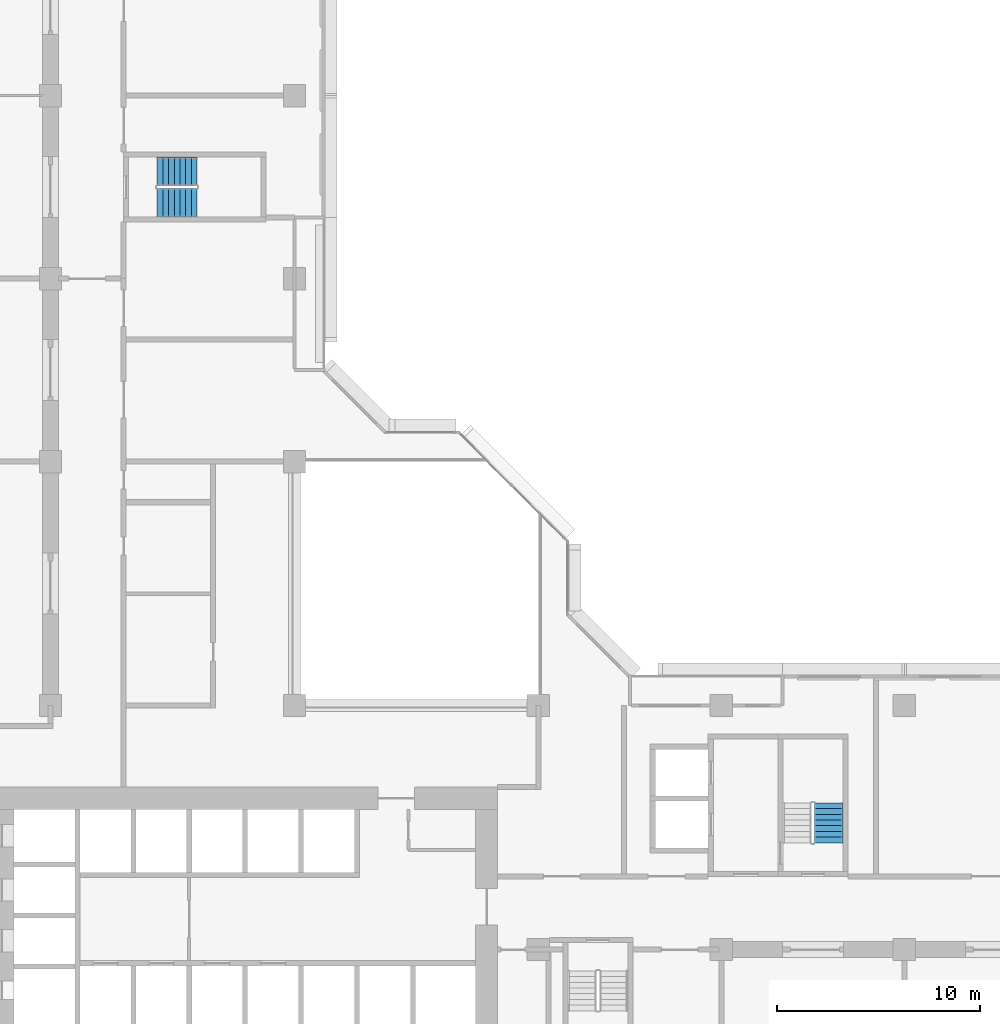
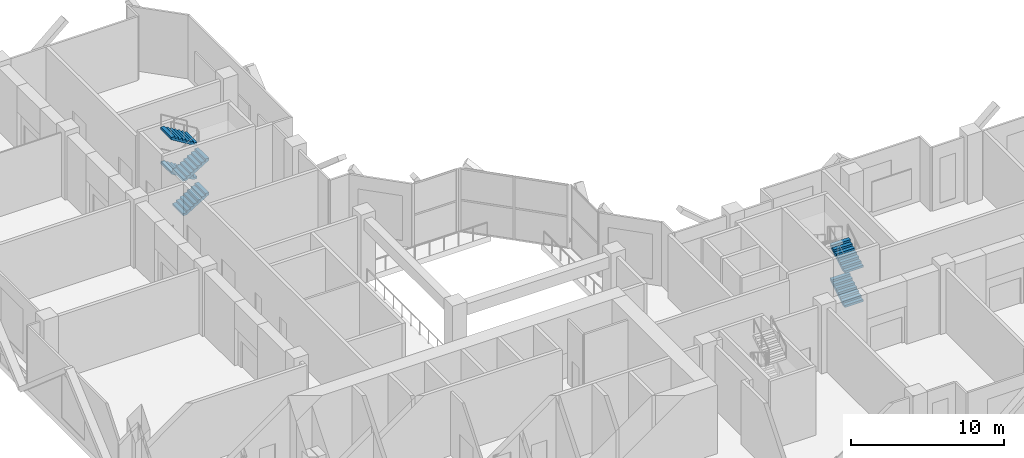
# One storey, part 11 of 14: 6 stair flights, 2 elements without a shape of their own.
"""IFC4 building model written with IfcOpenShell, lengths in metres."""

import ifcopenshell
import ifcopenshell.guid

model = None  # the IFC model being written
_history = None  # IfcOwnerHistory: only IFC2X3 demands one
_inside = {}  # id of a spatial element -> (the spatial element, [elements in it])
_under = {}  # id of a project, library or spatial element -> (it, [spatial elements below it])
_declared = {}  # id of a project -> (the project, [libraries it declares])
_typed = {}  # id of a type object -> (the type object, [elements of that type])
_made_of = {}  # id of a material, layer set ... -> (it, [elements and type objects made of it])


def new_model(schema):
    """Start an empty IFC model of exactly this schema.

    Asked for "IFC4X3", IfcOpenShell would pick the latest addendum, in which some entities
    have other attributes; the version numbers below select the first issue.
    IFC2X3 requires an IfcOwnerHistory on every rooted entity: one is made here for all.
    """
    global model, _history
    if schema == "IFC4X3":
        model = ifcopenshell.file(schema_version=(4, 3, 0, 0))
    else:
        model = ifcopenshell.file(schema=schema)
    _inside.clear()
    _under.clear()
    _declared.clear()
    _typed.clear()
    _made_of.clear()
    _history = None
    if model.schema == "IFC2X3":
        org = make("IfcOrganization", Name="unknown")
        user = make(
            "IfcPersonAndOrganization",
            ThePerson=make("IfcPerson", FamilyName="unknown"),
            TheOrganization=org,
        )
        app = make(
            "IfcApplication",
            ApplicationDeveloper=org,
            Version="unknown",
            ApplicationFullName="unknown",
            ApplicationIdentifier="unknown",
        )
        _history = make(
            "IfcOwnerHistory",
            OwningUser=user,
            OwningApplication=app,
            ChangeAction="ADDED",
            CreationDate=0,
        )
    return model


def make(cls, **values):
    """One entity of the class cls with the attributes given. An attribute that is None is left unset."""
    return model.create_entity(
        cls, **{name: value for name, value in values.items() if value is not None}
    )


def rooted(cls, **values):
    """An entity with a GlobalId (a new one), such as an element, a storey or a relation."""
    return make(cls, GlobalId=ifcopenshell.guid.new(), OwnerHistory=_history, **values)


def si_unit(unit_type, name, prefix=None):
    """IfcSIUnit, for example si_unit("LENGTHUNIT", "METRE", prefix="MILLI")."""
    return make("IfcSIUnit", UnitType=unit_type, Prefix=prefix, Name=name)


def assignment(units):
    """IfcUnitAssignment: the units of a project."""
    return None if units is None else make("IfcUnitAssignment", Units=units)


def point(xyz):
    """IfcCartesianPoint."""
    return None if xyz is None else make("IfcCartesianPoint", Coordinates=xyz)


def direction(xyz):
    """IfcDirection."""
    return None if xyz is None else make("IfcDirection", DirectionRatios=xyz)


def frame(location, z_axis=None, x_axis=None):
    """IfcAxis2Placement3D, a coordinate frame: its origin and axes. An axis left out is left unset."""
    return make(
        "IfcAxis2Placement3D",
        Location=point(location),
        Axis=direction(z_axis),
        RefDirection=direction(x_axis),
    )


def origin():
    """The frame at (0, 0, 0) with its axes left unset."""
    return frame((0.0, 0.0, 0.0))


def place(relative_to, where):
    """IfcLocalPlacement: puts the frame where relative to a parent placement (None: the world)."""
    return make(
        "IfcLocalPlacement", PlacementRelTo=relative_to, RelativePlacement=where
    )


def context(
    kind, dimensions, precision=None, world=None, true_north=None, identifier=None
):
    """IfcGeometricRepresentationContext, for example the 3D "Model" context."""
    return make(
        "IfcGeometricRepresentationContext",
        ContextIdentifier=identifier,
        ContextType=kind,
        CoordinateSpaceDimension=dimensions,
        Precision=precision,
        WorldCoordinateSystem=world,
        TrueNorth=true_north,
    )


def subcontext(parent, identifier, kind, view, scale=None):
    """IfcGeometricRepresentationSubContext, for example "Body" below "Model"."""
    return make(
        "IfcGeometricRepresentationSubContext",
        ContextIdentifier=identifier,
        ContextType=kind,
        ParentContext=parent,
        TargetScale=scale,
        TargetView=view,
    )


def project(units=None, contexts=None):
    """IfcProject with its units and contexts."""
    return rooted(
        "IfcProject",
        Name="project",
        RepresentationContexts=contexts,
        UnitsInContext=assignment(units),
    )


def spatial(cls, under=None, at=None, **own):
    """A site, building, storey or space (cls), placed at a placement, below another one or the project."""
    s = rooted(cls, ObjectPlacement=at, **own)
    if under is not None:
        _under.setdefault(under.id(), (under, []))[1].append(s)
    return s


def polyline(points):
    """IfcPolyline through the points."""
    return make("IfcPolyline", Points=[point(p) for p in points])


def outline(outer, holes=None, kind="AREA"):
    """IfcArbitraryClosedProfileDef: a profile drawn as a closed curve; with holes, ...WithVoids."""
    if holes is None:
        return make("IfcArbitraryClosedProfileDef", ProfileType=kind, OuterCurve=outer)
    return make(
        "IfcArbitraryProfileDefWithVoids",
        ProfileType=kind,
        OuterCurve=outer,
        InnerCurves=holes,
    )


def extrude(swept, where, along, depth):
    """IfcExtrudedAreaSolid: the profile swept, set in the frame where, extruded along a direction by depth."""
    return make(
        "IfcExtrudedAreaSolid",
        SweptArea=swept,
        Position=where,
        ExtrudedDirection=direction(along),
        Depth=depth,
    )


def shape(context_of_items, identifier, shape_type, items):
    """IfcShapeRepresentation: the items that make up one representation, for example the "Body"."""
    return make(
        "IfcShapeRepresentation",
        ContextOfItems=context_of_items,
        RepresentationIdentifier=identifier,
        RepresentationType=shape_type,
        Items=items,
    )


def material(Name=None, Category=None):
    """IfcMaterial."""
    return make("IfcMaterial", Name=Name, Category=Category)


def made_of(thing, what):
    """Note that an element or type object is made of a material, layer set ...; save() writes the relation."""
    if what is not None:
        _made_of.setdefault(what.id(), (what, []))[1].append(thing)
    return thing


def type_object(cls, material=None, **own):
    """A type object (cls), such as IfcWallType, which elements share."""
    return made_of(rooted(cls, **own), material)


def element(
    cls,
    number,
    at=None,
    inside=None,
    cuts=None,
    type_object=None,
    material=None,
    context=None,
    identifier="Body",
    shape_type=None,
    held_by="IfcProductDefinitionShape",
    body=None,
    shapes=None,
    **own,
):
    """One element of the class cls, such as IfcWall. Its Tag is "e" and its number.

    at: its placement. inside: the storey or other place that contains it. cuts: it is an
    opening in that element (IfcRelVoidsElement). A single representation is given by context,
    identifier, shape_type and body (its items); several are given by shapes. held_by: the class
    of the entity that holds the representations. save() writes the other relations.
    """
    e = rooted(cls, Tag="e%d" % number, ObjectPlacement=at, **own)
    if body is not None:
        shapes = [shape(context, identifier, shape_type, body)]
    if shapes is not None:
        e.Representation = make(held_by, Representations=shapes)
    if inside is not None:
        _inside.setdefault(inside.id(), (inside, []))[1].append(e)
    if cuts is not None:
        rooted(
            "IfcRelVoidsElement", RelatingBuildingElement=cuts, RelatedOpeningElement=e
        )
    if type_object is not None:
        _typed.setdefault(type_object.id(), (type_object, []))[1].append(e)
    return made_of(e, material)


def aggregate(whole, parts):
    """IfcRelAggregates: a whole, such as a stair, and the parts it consists of."""
    return rooted("IfcRelAggregates", RelatingObject=whole, RelatedObjects=parts)


def save(model, path):
    """Write the relations noted so far, then the file.

    IfcRelAggregates (storeys below a building ...), IfcRelContainedInSpatialStructure (elements
    in a storey), IfcRelDefinesByType, IfcRelAssociatesMaterial and IfcRelDeclares: one each for
    every whole, place, type object, material and project.
    """
    for whole, parts in _under.values():
        aggregate(whole, parts)
    for where, things in _inside.values():
        rooted(
            "IfcRelContainedInSpatialStructure",
            RelatedElements=things,
            RelatingStructure=where,
        )
    for kind, things in _typed.values():
        rooted("IfcRelDefinesByType", RelatedObjects=things, RelatingType=kind)
    for what, things in _made_of.values():
        rooted("IfcRelAssociatesMaterial", RelatedObjects=things, RelatingMaterial=what)
    for by, libraries in _declared.values():
        rooted("IfcRelDeclares", RelatingContext=by, RelatedDefinitions=libraries)
    model.write(path)


model = new_model("IFC4")

# Units and contexts
model_context = context("Model", 3, precision=1e-05, world=origin(), true_north=direction((0.0, 1.0)))
body_context = subcontext(model_context, "Body", "Model", "MODEL_VIEW")
ifc_project = project(units=[si_unit("LENGTHUNIT", "METRE"), si_unit("AREAUNIT", "SQUARE_METRE"), si_unit("VOLUMEUNIT", "CUBIC_METRE"), si_unit("PLANEANGLEUNIT", "RADIAN"), si_unit("MASSUNIT", "GRAM", prefix="KILO")], contexts=[model_context])

# Site, building, storey
site_placement = place(None, origin())
site = spatial("IfcSite", under=ifc_project, at=site_placement, CompositionType="ELEMENT")
building_placement = place(site_placement, origin())
building = spatial("IfcBuilding", under=site, at=building_placement, Name="Chenar Terraces", CompositionType="ELEMENT")
storey_placement = place(building_placement, frame((0.0, 0.0, 86.39990234375)))
storey = spatial("IfcBuildingStorey", under=building, at=storey_placement, Name="L19", CompositionType="ELEMENT", Elevation=86.39990234375)

# Stair, stair flights
ifc_material_1 = material(Name="Reinforced concrete C40/50", Category="concrete")
stair_type = type_object("IfcStairType", Name="Core stair 1400 half-turn", PredefinedType="HALF_TURN_STAIR", material=ifc_material_1)
placement = place(storey_placement, origin())
stair_1 = element("IfcStair", 1, at=placement, inside=storey, type_object=stair_type, Name="L19 Stair 3", PredefinedType="HALF_TURN_STAIR")
ifc_material_2 = material(Name="Reinforced concrete C40/50", Category="concrete")
stair_flight_type = type_object("IfcStairFlightType", Name="Core stair flight 1400", PredefinedType="STRAIGHT", material=ifc_material_2)
stair_flight_1_placement = place(storey_placement, frame((50.27490234375, 17.25, 0.0), z_axis=(0.0, 0.0, 1.0), x_axis=(0.0, 1.0, 0.0)))
stair_flight_1 = element("IfcStairFlight", 2, at=stair_flight_1_placement, type_object=stair_flight_type, Name="ST3 flight 1", NumberOfRisers=8, NumberOfTreads=7, PredefinedType="STRAIGHT", RiserHeight=0.171875, TreadLength=0.28, context=body_context, shape_type="SweptSolid", body=[
    extrude(outline(polyline([(-0.0029296875, 0.0), (-0.0029296875, 0.171875), (0.0, 0.171875), (0.280029296875, 0.171875), (0.280029296875, 0.34375), (0.56005859375, 0.34375), (0.56005859375, 0.515625), (0.840087890625, 0.515625), (0.840087890625, 0.6875), (1.1201171875, 0.6875), (1.1201171875, 0.859375), (1.39990234375, 0.859375), (1.39990234375, 1.03125), (1.679931640625, 1.03125), (1.679931640625, 1.203125), (1.9599609375, 1.203125), (1.962890625, 1.203125), (1.962890625, 1.02734375), (1.9599609375, 1.02734375), (0.28662109375, 0.0), (-0.0029296875, 0.0)])), frame((0.0, 0.699951171875, 0.0), z_axis=(0.0, -1.0, 0.0), x_axis=(1.0, 0.0, 0.0)), (0.0, 0.0, 1.0), 1.39990234375),
])
stair_flight_2_placement = place(storey_placement, frame((50.27490234375, 17.25, 2.75), z_axis=(0.0, 0.0, 1.0), x_axis=(0.0, 1.0, 0.0)))
stair_flight_2 = element("IfcStairFlight", 3, at=stair_flight_2_placement, type_object=stair_flight_type, Name="ST3 flight 3", NumberOfRisers=8, NumberOfTreads=7, PredefinedType="STRAIGHT", RiserHeight=0.171875, TreadLength=0.28, context=body_context, shape_type="SweptSolid", body=[
    extrude(outline(polyline([(-0.0029296875, 0.0), (-0.0029296875, 0.171875), (0.0, 0.171875), (0.280029296875, 0.171875), (0.280029296875, 0.34375), (0.56005859375, 0.34375), (0.56005859375, 0.515625), (0.840087890625, 0.515625), (0.840087890625, 0.6875), (1.1201171875, 0.6875), (1.1201171875, 0.859375), (1.39990234375, 0.859375), (1.39990234375, 1.03125), (1.679931640625, 1.03125), (1.679931640625, 1.203125), (1.9599609375, 1.203125), (1.962890625, 1.203125), (1.962890625, 1.02734375), (1.9599609375, 1.02734375), (0.28662109375, 0.0), (-0.0029296875, 0.0)])), frame((0.0, 0.699951171875, 0.0), z_axis=(0.0, -1.0, 0.0), x_axis=(1.0, 0.0, 0.0)), (0.0, 0.0, 1.0), 1.39990234375),
])
aggregate(stair_1, [stair_flight_1, stair_flight_2])

stair_2 = element("IfcStair", 4, at=placement, inside=storey, type_object=stair_type, Name="L19 Stair 4", PredefinedType="HALF_TURN_STAIR")
stair_flight_3_placement = place(storey_placement, frame((17.25, 48.72509765625, 0.0), z_axis=(0.0, 0.0, 1.0), x_axis=(1.0, 0.0, 0.0)))
stair_flight_3 = element("IfcStairFlight", 5, at=stair_flight_3_placement, type_object=stair_flight_type, Name="ST4 flight 1", NumberOfRisers=8, NumberOfTreads=7, PredefinedType="STRAIGHT", RiserHeight=0.171875, TreadLength=0.28, context=body_context, shape_type="SweptSolid", body=[
    extrude(outline(polyline([(-0.0029296875, 0.0), (-0.0029296875, 0.171875), (0.0, 0.171875), (0.280029296875, 0.171875), (0.280029296875, 0.34375), (0.56005859375, 0.34375), (0.56005859375, 0.515625), (0.840087890625, 0.515625), (0.840087890625, 0.6875), (1.1201171875, 0.6875), (1.1201171875, 0.859375), (1.39990234375, 0.859375), (1.39990234375, 1.03125), (1.679931640625, 1.03125), (1.679931640625, 1.203125), (1.9599609375, 1.203125), (1.962890625, 1.203125), (1.962890625, 1.02734375), (1.9599609375, 1.02734375), (0.28662109375, 0.0), (-0.0029296875, 0.0)])), frame((0.0, 0.699951171875, 0.0), z_axis=(0.0, -1.0, 0.0), x_axis=(1.0, 0.0, 0.0)), (0.0, 0.0, 1.0), 1.39990234375),
])
stair_flight_4_placement = place(storey_placement, frame((19.2099609375, 50.27490234375, 1.375), z_axis=(0.0, 0.0, 1.0), x_axis=(-1.0, 0.0, 0.0)))
stair_flight_4 = element("IfcStairFlight", 6, at=stair_flight_4_placement, type_object=stair_flight_type, Name="ST4 flight 2", NumberOfRisers=8, NumberOfTreads=7, PredefinedType="STRAIGHT", RiserHeight=0.171875, TreadLength=0.28, context=body_context, shape_type="SweptSolid", body=[
    extrude(outline(polyline([(-0.0029296875, 0.0), (-0.0029296875, 0.171875), (0.0, 0.171875), (0.280029296875, 0.171875), (0.280029296875, 0.34375), (0.56005859375, 0.34375), (0.56005859375, 0.515625), (0.840087890625, 0.515625), (0.840087890625, 0.6875), (1.1201171875, 0.6875), (1.1201171875, 0.859375), (1.39990234375, 0.859375), (1.39990234375, 1.03125), (1.679931640625, 1.03125), (1.679931640625, 1.203125), (1.9599609375, 1.203125), (1.962890625, 1.203125), (1.962890625, 1.02734375), (1.9599609375, 1.02734375), (0.28662109375, 0.0), (-0.0029296875, 0.0)])), frame((0.0, 0.699951171875, 0.0), z_axis=(0.0, -1.0, 0.0), x_axis=(1.0, 0.0, 0.0)), (0.0, 0.0, 1.0), 1.39990234375),
])
stair_flight_5_placement = place(storey_placement, frame((17.25, 48.72509765625, 2.75), z_axis=(0.0, 0.0, 1.0), x_axis=(1.0, 0.0, 0.0)))
stair_flight_5 = element("IfcStairFlight", 7, at=stair_flight_5_placement, type_object=stair_flight_type, Name="ST4 flight 3", NumberOfRisers=8, NumberOfTreads=7, PredefinedType="STRAIGHT", RiserHeight=0.171875, TreadLength=0.28, context=body_context, shape_type="SweptSolid", body=[
    extrude(outline(polyline([(-0.0029296875, 0.0), (-0.0029296875, 0.171875), (0.0, 0.171875), (0.280029296875, 0.171875), (0.280029296875, 0.34375), (0.56005859375, 0.34375), (0.56005859375, 0.515625), (0.840087890625, 0.515625), (0.840087890625, 0.6875), (1.1201171875, 0.6875), (1.1201171875, 0.859375), (1.39990234375, 0.859375), (1.39990234375, 1.03125), (1.679931640625, 1.03125), (1.679931640625, 1.203125), (1.9599609375, 1.203125), (1.962890625, 1.203125), (1.962890625, 1.02734375), (1.9599609375, 1.02734375), (0.28662109375, 0.0), (-0.0029296875, 0.0)])), frame((0.0, 0.699951171875, 0.0), z_axis=(0.0, -1.0, 0.0), x_axis=(1.0, 0.0, 0.0)), (0.0, 0.0, 1.0), 1.39990234375),
])
stair_flight_6_placement = place(storey_placement, frame((19.2099609375, 50.27490234375, 4.125), z_axis=(0.0, 0.0, 1.0), x_axis=(-1.0, 0.0, 0.0)))
stair_flight_6 = element("IfcStairFlight", 8, at=stair_flight_6_placement, type_object=stair_flight_type, Name="ST4 flight 4", NumberOfRisers=8, NumberOfTreads=7, PredefinedType="STRAIGHT", RiserHeight=0.171875, TreadLength=0.28, context=body_context, shape_type="SweptSolid", body=[
    extrude(outline(polyline([(-0.0029296875, 0.0), (-0.0029296875, 0.171875), (0.0, 0.171875), (0.280029296875, 0.171875), (0.280029296875, 0.34375), (0.56005859375, 0.34375), (0.56005859375, 0.515625), (0.840087890625, 0.515625), (0.840087890625, 0.6875), (1.1201171875, 0.6875), (1.1201171875, 0.859375), (1.39990234375, 0.859375), (1.39990234375, 1.03125), (1.679931640625, 1.03125), (1.679931640625, 1.203125), (1.9599609375, 1.203125), (1.962890625, 1.203125), (1.962890625, 1.02734375), (1.9599609375, 1.02734375), (0.28662109375, 0.0), (-0.0029296875, 0.0)])), frame((0.0, 0.699951171875, 0.0), z_axis=(0.0, -1.0, 0.0), x_axis=(1.0, 0.0, 0.0)), (0.0, 0.0, 1.0), 1.39990234375),
])
aggregate(stair_2, [stair_flight_3, stair_flight_4, stair_flight_5, stair_flight_6])

save(model, "model.ifc")
